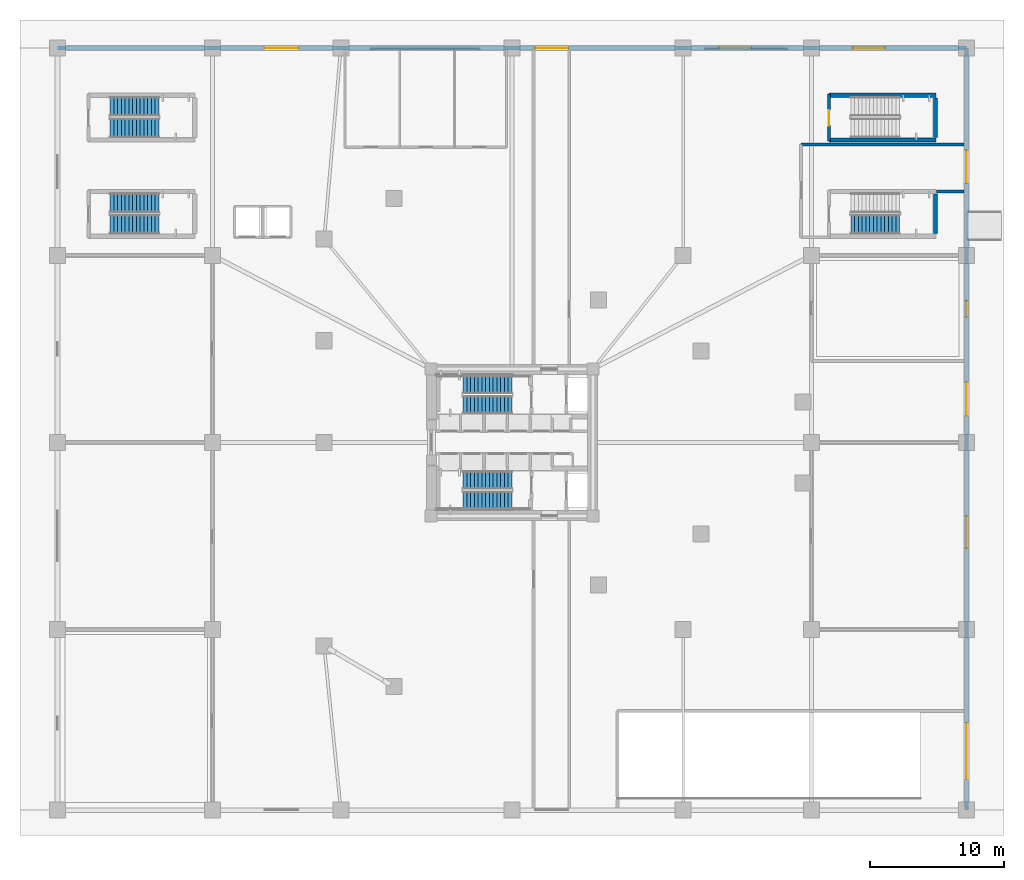
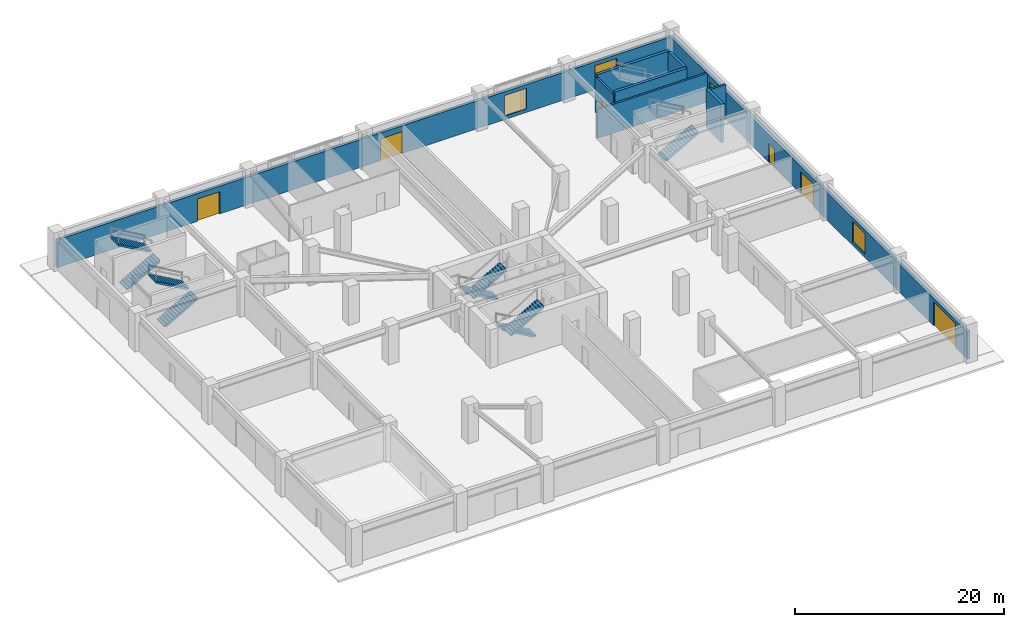
# One storey, part 7 of 18: 9 stair flights, 9 walls, 7 doors, 3 windows, 10 openings, 5 elements without a shape of their own.
"""IFC4 building model written with IfcOpenShell, lengths in metres."""

from ifc_helpers import new_model, si_unit, direction, frame, frame_2d, origin, place, context, subcontext, project, spatial, polyline, rectangle, outline, extrude, material, layer, layer_set, type_object, element, fill, aggregate, save


model = new_model("IFC4")

# Units and contexts
model_context = context("Model", 3, precision=1e-05, world=origin(), true_north=direction((0.0, 1.0)))
body_context = subcontext(model_context, "Body", "Model", "MODEL_VIEW")
ifc_project = project(units=[si_unit("LENGTHUNIT", "METRE"), si_unit("AREAUNIT", "SQUARE_METRE"), si_unit("VOLUMEUNIT", "CUBIC_METRE"), si_unit("PLANEANGLEUNIT", "RADIAN"), si_unit("MASSUNIT", "GRAM", prefix="KILO")], contexts=[model_context])

# Site, building, storey
site_placement = place(None, origin())
site = spatial("IfcSite", under=ifc_project, at=site_placement, CompositionType="ELEMENT")
building_placement = place(site_placement, origin())
building = spatial("IfcBuilding", under=site, at=building_placement, Name="Yunling Apex Tower", CompositionType="ELEMENT")
storey_placement = place(building_placement, origin())
storey = spatial("IfcBuildingStorey", under=building, at=storey_placement, Name="L01", CompositionType="ELEMENT", Elevation=0.0)

# Walls
ifc_material_1 = material(Name="Concrete C40", Category="concrete")
ifc_layer_1 = layer(ifc_material_1, 0.320068359375)
ifc_layer_set_1 = layer_set([ifc_layer_1], Name="Concrete C40")
wall_type_1 = type_object("IfcWallType", Name="WL-COR-7", PredefinedType="SHEAR", material=ifc_layer_set_1)
wall_1_placement = place(storey_placement, frame((31.679931640625, 15.6201171875, 0.0), z_axis=(0.0, 0.0, 1.0), x_axis=(0.0, 1.0, 0.0)))
element("IfcWall", 1, at=wall_1_placement, inside=storey, type_object=wall_type_1, Name="L01 STP2 Half-Landing Bearing Wall", PredefinedType="SHEAR", context=body_context, shape_type="SweptSolid", body=[
    extrude(rectangle(XDim=2.9599609375, YDim=0.320068359375, at=frame_2d((1.47998046875, 0.0))), origin(), (0.0, 0.0, 1.0), 4.5),
])
for number, where, z_axis, x_axis, name in (
    (2, (23.699951171875, 25.97998046875, 0.0), (0.0, 0.0, 1.0), (1.0, 0.0, 0.0), "L01 STG2 North Bearing Wall"),
    (3, (23.699951171875, 22.6201171875, 0.0), (0.0, 0.0, 1.0), (1.0, 0.0, 0.0), "L01 STG2 South Bearing Wall"),
):
    element("IfcWall", number, at=place(storey_placement, frame(where, z_axis=z_axis, x_axis=x_axis)), inside=storey, type_object=wall_type_1, Name=name, PredefinedType="SHEAR", context=body_context, shape_type="SweptSolid", body=[
        extrude(rectangle(XDim=8.0, YDim=0.320068359375, at=frame_2d((4.0, 0.0))), origin(), (0.0, 0.0, 1.0), 4.5),
    ])
wall_2_placement = place(storey_placement, frame((31.679931640625, 22.820068359375, 0.0), z_axis=(0.0, 0.0, 1.0), x_axis=(0.0, 1.0, 0.0)))
element("IfcWall", 4, at=wall_2_placement, inside=storey, type_object=wall_type_1, Name="L01 STG2 Half-Landing Bearing Wall", PredefinedType="SHEAR", context=body_context, shape_type="SweptSolid", body=[
    extrude(rectangle(XDim=2.9599609375, YDim=0.320068359375, at=frame_2d((1.47998046875, 0.0))), origin(), (0.0, 0.0, 1.0), 4.5),
])

# Wall, openings, doors, windows
ifc_material_2 = material(Name="Precast concrete C40", Category="concrete")
ifc_layer_2 = layer(ifc_material_2, 0.320068359375)
ifc_layer_set_2 = layer_set([ifc_layer_2], Name="Precast concrete C40")
wall_type_2 = type_object("IfcWallType", Name="WL-EXT-1", PredefinedType="SOLIDWALL", material=ifc_layer_set_2)
wall_3_placement = place(storey_placement, frame((-34.0, 29.5, 0.0), z_axis=(0.0, 0.0, 1.0), x_axis=(1.0, 0.0, 0.0)))
wall_3 = element("IfcWall", 5, at=wall_3_placement, inside=storey, type_object=wall_type_2, Name="WL-POD-L01-N", PredefinedType="SOLIDWALL", context=body_context, shape_type="SweptSolid", body=[
    extrude(rectangle(XDim=68.0, YDim=0.320068359375, at=frame_2d((34.0, 0.0))), origin(), (0.0, 0.0, 1.0), 3.25),
])
opening_1_placement = place(wall_3_placement, frame((35.75, 0.0, 0.0)))
opening_1 = element("IfcOpeningElement", 6, at=opening_1_placement, cuts=wall_3, Name="Opening DR-EX-2", PredefinedType="OPENING", context=body_context, shape_type="SweptSolid", body=[
    extrude(rectangle(XDim=2.449951171875, YDim=2.550048828125, at=frame_2d((1.22509765625, 1.27490234375))), frame((0.0, 0.169921875, 0.0), z_axis=(0.0, -1.0, 0.0), x_axis=(1.0, 0.0, 0.0)), (0.0, 0.0, 1.0), 0.340087890625),
])
opening_2_placement = place(wall_3_placement, frame((15.5, 0.0, 0.0)))
opening_2 = element("IfcOpeningElement", 7, at=opening_2_placement, cuts=wall_3, Name="Opening DR-EX-1", PredefinedType="OPENING", context=body_context, shape_type="SweptSolid", body=[
    extrude(rectangle(XDim=2.5, YDim=2.60009765625, at=frame_2d((1.25, 1.300048828125))), frame((0.0, 0.169921875, 0.0), z_axis=(0.0, -1.0, 0.0), x_axis=(1.0, 0.0, 0.0)), (0.0, 0.0, 1.0), 0.340087890625),
])
opening_3_placement = place(wall_3_placement, frame((49.5, 0.0, 0.39990234375)))
opening_3 = element("IfcOpeningElement", 8, at=opening_3_placement, cuts=wall_3, Name="Opening WN-POD-1", PredefinedType="OPENING", context=body_context, shape_type="SweptSolid", body=[
    extrude(rectangle(XDim=2.39990234375, YDim=2.39990234375, at=frame_2d((1.199951171875, 1.199951171875))), frame((0.0, 0.169921875, 0.0), z_axis=(0.0, -1.0, 0.0), x_axis=(1.0, 0.0, 0.0)), (0.0, 0.0, 1.0), 0.340087890625),
])
opening_4_placement = place(wall_3_placement, frame((59.5, 0.0, 0.39990234375)))
opening_4 = element("IfcOpeningElement", 9, at=opening_4_placement, cuts=wall_3, Name="Opening WN-POD-1", PredefinedType="OPENING", context=body_context, shape_type="SweptSolid", body=[
    extrude(rectangle(XDim=2.39990234375, YDim=2.39990234375, at=frame_2d((1.199951171875, 1.199951171875))), frame((0.0, 0.169921875, 0.0), z_axis=(0.0, -1.0, 0.0), x_axis=(1.0, 0.0, 0.0)), (0.0, 0.0, 1.0), 0.340087890625),
])
ifc_material_3 = material(Name="Bronze anodised aluminium", Category="aluminium")
door_type_1 = type_object("IfcDoorType", Name="DR-EX-1", OperationType="NOTDEFINED", PredefinedType="DOOR", material=ifc_material_3)
door_1_placement = place(opening_2_placement, origin())
door_1 = element("IfcDoor", 10, at=door_1_placement, inside=storey, type_object=door_type_1, Name="EX-03 North Concourse Main Entrance Door", OperationType="DOUBLE_DOOR_SINGLE_SWING", OverallHeight=2.60009765625, OverallWidth=2.5, PredefinedType="DOOR", context=body_context, shape_type="SweptSolid", body=[
    extrude(rectangle(XDim=2.5, YDim=2.60009765625, at=frame_2d((1.25, 1.300048828125))), frame((0.0, 0.02490234375, 0.0), z_axis=(0.0, -1.0, 0.0), x_axis=(1.0, 0.0, 0.0)), (0.0, 0.0, 1.0), 0.050048828125),
])
fill(opening_2, door_1)
ifc_material_4 = material(Name="Steel Q355B", Category="steel")
door_type_2 = type_object("IfcDoorType", Name="DR-EX-2", OperationType="NOTDEFINED", PredefinedType="DOOR", material=ifc_material_4)
door_2_placement = place(opening_1_placement, origin())
door_2 = element("IfcDoor", 11, at=door_2_placement, inside=storey, type_object=door_type_2, Name="EX-01 North Protected Stair Exit Door", OperationType="DOUBLE_DOOR_SINGLE_SWING", OverallHeight=2.550048828125, OverallWidth=2.449951171875, PredefinedType="DOOR", context=body_context, shape_type="SweptSolid", body=[
    extrude(rectangle(XDim=2.449951171875, YDim=2.550048828125, at=frame_2d((1.22509765625, 1.27490234375))), frame((0.0, 0.02490234375, 0.0), z_axis=(0.0, -1.0, 0.0), x_axis=(1.0, 0.0, 0.0)), (0.0, 0.0, 1.0), 0.050048828125),
])
fill(opening_1, door_2)
ifc_material_5 = material(Name="Bronze tinted low-E glass", Category="glass")
window_type = type_object("IfcWindowType", Name="WN-POD-1", PartitioningType="SINGLE_PANEL", PredefinedType="WINDOW", material=ifc_material_5)
window_1_placement = place(opening_3_placement, origin())
window_1 = element("IfcWindow", 12, at=window_1_placement, inside=storey, type_object=window_type, Name="WN-L01-N-1", OverallHeight=2.39990234375, OverallWidth=2.39990234375, PartitioningType="SINGLE_PANEL", PredefinedType="WINDOW", context=body_context, shape_type="SweptSolid", body=[
    extrude(rectangle(XDim=2.39990234375, YDim=2.39990234375, at=frame_2d((1.199951171875, 1.199951171875))), frame((0.0, 0.030029296875, 0.0), z_axis=(0.0, -1.0, 0.0), x_axis=(1.0, 0.0, 0.0)), (0.0, 0.0, 1.0), 0.06005859375),
])
fill(opening_3, window_1)
window_2_placement = place(opening_4_placement, origin())
window_2 = element("IfcWindow", 13, at=window_2_placement, inside=storey, type_object=window_type, Name="WN-L01-N-2", OverallHeight=2.39990234375, OverallWidth=2.39990234375, PartitioningType="SINGLE_PANEL", PredefinedType="WINDOW", context=body_context, shape_type="SweptSolid", body=[
    extrude(rectangle(XDim=2.39990234375, YDim=2.39990234375, at=frame_2d((1.199951171875, 1.199951171875))), frame((0.0, 0.030029296875, 0.0), z_axis=(0.0, -1.0, 0.0), x_axis=(1.0, 0.0, 0.0)), (0.0, 0.0, 1.0), 0.06005859375),
])
fill(opening_4, window_2)

# Wall, openings, doors, window
wall_4_placement = place(storey_placement, frame((34.0, 29.5, 0.0), z_axis=(0.0, 0.0, 1.0), x_axis=(0.0, -1.0, 0.0)))
wall_4 = element("IfcWall", 14, at=wall_4_placement, inside=storey, type_object=wall_type_2, Name="WL-POD-L01-E", PredefinedType="SOLIDWALL", context=body_context, shape_type="SweptSolid", body=[
    extrude(rectangle(XDim=57.0, YDim=0.320068359375, at=frame_2d((28.5, 0.0))), origin(), (0.0, 0.0, 1.0), 3.25),
])
opening_5_placement = place(wall_4_placement, frame((7.64990234375, 0.0, 0.0)))
opening_5 = element("IfcOpeningElement", 15, at=opening_5_placement, cuts=wall_4, Name="Opening DR-EX-2", PredefinedType="OPENING", context=body_context, shape_type="SweptSolid", body=[
    extrude(rectangle(XDim=2.449951171875, YDim=2.550048828125, at=frame_2d((1.22509765625, 1.27490234375))), frame((0.0, 0.169921875, 0.0), z_axis=(0.0, -1.0, 0.0), x_axis=(1.0, 0.0, 0.0)), (0.0, 0.0, 1.0), 0.340087890625),
])
opening_6_placement = place(wall_4_placement, frame((25.0, 0.0, 0.0)))
opening_6 = element("IfcOpeningElement", 16, at=opening_6_placement, cuts=wall_4, Name="Opening DR-EX-1", PredefinedType="OPENING", context=body_context, shape_type="SweptSolid", body=[
    extrude(rectangle(XDim=2.5, YDim=2.60009765625, at=frame_2d((1.25, 1.300048828125))), frame((0.0, 0.169921875, 0.0), z_axis=(0.0, -1.0, 0.0), x_axis=(1.0, 0.0, 0.0)), (0.0, 0.0, 1.0), 0.340087890625),
])
opening_7_placement = place(wall_4_placement, frame((18.89990234375, 0.0, 0.0)))
opening_7 = element("IfcOpeningElement", 17, at=opening_7_placement, cuts=wall_4, Name="Opening DR-FFL-1", PredefinedType="OPENING", context=body_context, shape_type="SweptSolid", body=[
    extrude(rectangle(XDim=1.199951171875, YDim=2.199951171875, at=frame_2d((0.60009765625, 1.10009765625))), frame((0.0, 0.169921875, 0.0), z_axis=(0.0, -1.0, 0.0), x_axis=(1.0, 0.0, 0.0)), (0.0, 0.0, 1.0), 0.340087890625),
])
opening_8_placement = place(wall_4_placement, frame((50.5, 0.0, 0.0)))
opening_8 = element("IfcOpeningElement", 18, at=opening_8_placement, cuts=wall_4, Name="Opening VG-01", PredefinedType="OPENING", context=body_context, shape_type="SweptSolid", body=[
    extrude(rectangle(XDim=4.199951171875, YDim=2.800048828125, at=frame_2d((2.10009765625, 1.39990234375))), frame((0.0, 0.169921875, 0.0), z_axis=(0.0, -1.0, 0.0), x_axis=(1.0, 0.0, 0.0)), (0.0, 0.0, 1.0), 0.340087890625),
])
opening_9_placement = place(wall_4_placement, frame((35.0, 0.0, 0.39990234375)))
opening_9 = element("IfcOpeningElement", 19, at=opening_9_placement, cuts=wall_4, Name="Opening WN-POD-1", PredefinedType="OPENING", context=body_context, shape_type="SweptSolid", body=[
    extrude(rectangle(XDim=2.39990234375, YDim=2.39990234375, at=frame_2d((1.199951171875, 1.199951171875))), frame((0.0, 0.169921875, 0.0), z_axis=(0.0, -1.0, 0.0), x_axis=(1.0, 0.0, 0.0)), (0.0, 0.0, 1.0), 0.340087890625),
])
door_3_placement = place(opening_6_placement, origin())
door_3 = element("IfcDoor", 20, at=door_3_placement, inside=storey, type_object=door_type_1, Name="EX-06 East Plaza Accessible Entrance Door", OperationType="DOUBLE_DOOR_SINGLE_SWING", OverallHeight=2.60009765625, OverallWidth=2.5, PredefinedType="DOOR", context=body_context, shape_type="SweptSolid", body=[
    extrude(rectangle(XDim=2.5, YDim=2.60009765625, at=frame_2d((1.25, 1.300048828125))), frame((0.0, 0.02490234375, 0.0), z_axis=(0.0, -1.0, 0.0), x_axis=(1.0, 0.0, 0.0)), (0.0, 0.0, 1.0), 0.050048828125),
])
fill(opening_6, door_3)
door_4_placement = place(opening_5_placement, origin())
door_4 = element("IfcDoor", 21, at=door_4_placement, inside=storey, type_object=door_type_2, Name="EX-07 East Protected Stair Exit Door", OperationType="DOUBLE_DOOR_SINGLE_SWING", OverallHeight=2.550048828125, OverallWidth=2.449951171875, PredefinedType="DOOR", context=body_context, shape_type="SweptSolid", body=[
    extrude(rectangle(XDim=2.449951171875, YDim=2.550048828125, at=frame_2d((1.22509765625, 1.27490234375))), frame((0.0, 0.02490234375, 0.0), z_axis=(0.0, -1.0, 0.0), x_axis=(1.0, 0.0, 0.0)), (0.0, 0.0, 1.0), 0.050048828125),
])
fill(opening_5, door_4)
door_type_3 = type_object("IfcDoorType", Name="DR-FFL-1", OperationType="NOTDEFINED", PredefinedType="DOOR", material=ifc_material_4)
door_5_placement = place(opening_7_placement, origin())
door_5 = element("IfcDoor", 22, at=door_5_placement, inside=storey, type_object=door_type_3, Name="EX-FCC Fire Command Exterior Door", OperationType="SINGLE_SWING_LEFT", OverallHeight=2.199951171875, OverallWidth=1.199951171875, PredefinedType="DOOR", context=body_context, shape_type="SweptSolid", body=[
    extrude(rectangle(XDim=1.199951171875, YDim=2.199951171875, at=frame_2d((0.60009765625, 1.10009765625))), frame((0.0, 0.02490234375, 0.0), z_axis=(0.0, -1.0, 0.0), x_axis=(1.0, 0.0, 0.0)), (0.0, 0.0, 1.0), 0.050048828125),
])
fill(opening_7, door_5)
door_type_4 = type_object("IfcDoorType", Name="VG-01", OperationType="ROLLINGUP", PredefinedType="GATE", material=ifc_material_3)
door_6_placement = place(opening_8_placement, origin())
door_6 = element("IfcDoor", 23, at=door_6_placement, inside=storey, type_object=door_type_4, Name="VG-01 Vehicle Ramp Shutter Gate", OperationType="ROLLINGUP", OverallHeight=2.800048828125, OverallWidth=4.199951171875, PredefinedType="GATE", context=body_context, shape_type="SweptSolid", body=[
    extrude(rectangle(XDim=4.199951171875, YDim=2.800048828125, at=frame_2d((2.10009765625, 1.39990234375))), frame((0.0, 0.02490234375, 0.0), z_axis=(0.0, -1.0, 0.0), x_axis=(1.0, 0.0, 0.0)), (0.0, 0.0, 1.0), 0.050048828125),
])
fill(opening_8, door_6)
window_3_placement = place(opening_9_placement, origin())
window_3 = element("IfcWindow", 24, at=window_3_placement, inside=storey, type_object=window_type, Name="WN-L01-E-CAF", OverallHeight=2.39990234375, OverallWidth=2.39990234375, PartitioningType="SINGLE_PANEL", PredefinedType="WINDOW", context=body_context, shape_type="SweptSolid", body=[
    extrude(rectangle(XDim=2.39990234375, YDim=2.39990234375, at=frame_2d((1.199951171875, 1.199951171875))), frame((0.0, 0.030029296875, 0.0), z_axis=(0.0, -1.0, 0.0), x_axis=(1.0, 0.0, 0.0)), (0.0, 0.0, 1.0), 0.06005859375),
])
fill(opening_9, window_3)

# Wall, opening, door
ifc_material_6 = material(Name="Autoclaved aerated concrete masonry", Category="masonry")
ifc_layer_3 = layer(ifc_material_6, 0.219970703125)
ifc_layer_set_3 = layer_set([ifc_layer_3], Name="Autoclaved aerated concrete masonry")
wall_type_3 = type_object("IfcWallType", Name="WL-SHF-1", PredefinedType="PLUMBINGWALL", material=ifc_layer_set_3)
wall_5_placement = place(storey_placement, frame((23.719970703125, 22.550048828125, 0.0), z_axis=(0.0, 0.0, 1.0), x_axis=(0.0, 1.0, 0.0)))
wall_5 = element("IfcWall", 25, at=wall_5_placement, inside=storey, type_object=wall_type_3, Name="WL-STG2-W-L01", PredefinedType="PLUMBINGWALL", context=body_context, shape_type="SweptSolid", body=[
    extrude(rectangle(XDim=3.5, YDim=0.219970703125, at=frame_2d((1.75, 0.0))), origin(), (0.0, 0.0, 1.0), 4.169921875),
])
opening_10_placement = place(wall_5_placement, frame((1.14990234375, 0.0, 0.0)))
opening_10 = element("IfcOpeningElement", 26, at=opening_10_placement, cuts=wall_5, Name="Opening DR-ST-1", PredefinedType="OPENING", context=body_context, shape_type="SweptSolid", body=[
    extrude(rectangle(XDim=1.14990234375, YDim=2.14990234375, at=frame_2d((0.574951171875, 1.074951171875))), frame((0.0, 0.1201171875, 0.0), z_axis=(0.0, -1.0, 0.0), x_axis=(1.0, 0.0, 0.0)), (0.0, 0.0, 1.0), 0.239990234375),
])
door_type_5 = type_object("IfcDoorType", Name="DR-ST-1", OperationType="NOTDEFINED", PredefinedType="DOOR", material=ifc_material_4)
door_7_placement = place(opening_10_placement, origin())
door_7 = element("IfcDoor", 27, at=door_7_placement, inside=storey, type_object=door_type_5, Name="L01 Garden Stair ST-G2 Door", OperationType="SINGLE_SWING_RIGHT", OverallHeight=2.14990234375, OverallWidth=1.14990234375, PredefinedType="DOOR", context=body_context, shape_type="SweptSolid", body=[
    extrude(rectangle(XDim=1.14990234375, YDim=2.14990234375, at=frame_2d((0.574951171875, 1.074951171875))), frame((0.0, 0.02490234375, 0.0), z_axis=(0.0, -1.0, 0.0), x_axis=(1.0, 0.0, 0.0)), (0.0, 0.0, 1.0), 0.050048828125),
])
fill(opening_10, door_7)

# Walls
wall_6_placement = place(storey_placement, frame((31.760009765625, 18.780029296875, 0.0), z_axis=(0.0, 0.0, 1.0), x_axis=(1.0, 0.0, 0.0)))
element("IfcWall", 28, at=wall_6_placement, inside=storey, type_object=wall_type_3, Name="WL-EXPE-S2", PredefinedType="PLUMBINGWALL", context=body_context, shape_type="SweptSolid", body=[
    extrude(rectangle(XDim=2.0400390625, YDim=0.219970703125, at=frame_2d((1.02001953125, 0.0))), origin(), (0.0, 0.0, 1.0), 4.169921875),
])
wall_7_placement = place(storey_placement, frame((21.6201171875, 22.280029296875, 0.0), z_axis=(0.0, 0.0, 1.0), x_axis=(1.0, 0.0, 0.0)))
element("IfcWall", 29, at=wall_7_placement, inside=storey, type_object=wall_type_3, Name="WL-EXPE-N", PredefinedType="PLUMBINGWALL", context=body_context, shape_type="SweptSolid", body=[
    extrude(rectangle(XDim=12.179931640625, YDim=0.219970703125, at=frame_2d((6.08984375, 0.0))), origin(), (0.0, 0.0, 1.0), 3.375),
])

# Stair, stair flights
stair_type_1 = type_object("IfcStairType", Name="ST-GDN-1", PredefinedType="STRAIGHT_RUN_STAIR", material=ifc_material_1)
stair_1_placement = place(storey_placement, origin())
stair_1 = element("IfcStair", 30, at=stair_1_placement, inside=storey, type_object=stair_type_1, Name="L01 West Plaza-to-Garden External Stair ST-G1", PredefinedType="HALF_TURN_STAIR")
stair_flight_type_1 = type_object("IfcStairFlightType", Name="SFL-GDN-1", PredefinedType="STRAIGHT", material=ifc_material_1)
stair_flight_1_placement = place(storey_placement, frame((-30.050048828125, 23.52490234375, 0.0), z_axis=(0.0, 0.0, 1.0), x_axis=(1.0, 0.0, 0.0)))
stair_flight_1 = element("IfcStairFlight", 31, at=stair_flight_1_placement, type_object=stair_flight_type_1, Name="ST-G1 flight 1", NumberOfRisers=14, NumberOfTreads=13, PredefinedType="STRAIGHT", RiserHeight=0.160714286, TreadLength=0.28, context=body_context, shape_type="SweptSolid", body=[
    extrude(outline(polyline([(-0.011962890625, 0.0), (-0.011962890625, 0.16064453125), (0.0, 0.16064453125), (0.280029296875, 0.16064453125), (0.280029296875, 0.321533203125), (0.56005859375, 0.321533203125), (0.56005859375, 0.482177734375), (0.840087890625, 0.482177734375), (0.840087890625, 0.642822265625), (1.1201171875, 0.642822265625), (1.1201171875, 0.803466796875), (1.39990234375, 0.803466796875), (1.39990234375, 0.96435546875), (1.679931640625, 0.96435546875), (1.679931640625, 1.125), (1.9599609375, 1.125), (1.9599609375, 1.28564453125), (2.239990234375, 1.28564453125), (2.239990234375, 1.446533203125), (2.52001953125, 1.446533203125), (2.52001953125, 1.607177734375), (2.800048828125, 1.607177734375), (2.800048828125, 1.767822265625), (3.080078125, 1.767822265625), (3.080078125, 1.928466796875), (3.360107421875, 1.928466796875), (3.360107421875, 2.08935546875), (3.639892578125, 2.08935546875), (3.639892578125, 2.25), (3.652099609375, 2.25), (3.652099609375, 1.90478515625), (0.3212890625, 0.0), (-0.011962890625, 0.0)])), frame((0.0, 0.72509765625, 0.0), z_axis=(0.0, -1.0, 0.0), x_axis=(1.0, 0.0, 0.0)), (0.0, 0.0, 1.0), 1.449951171875),
])
stair_flight_2_placement = place(storey_placement, frame((-26.409912109375, 25.125, 2.25), z_axis=(0.0, 0.0, 1.0), x_axis=(-1.0, 0.0, 0.0)))
stair_flight_2 = element("IfcStairFlight", 32, at=stair_flight_2_placement, type_object=stair_flight_type_1, Name="ST-G1 flight 2", NumberOfRisers=14, NumberOfTreads=13, PredefinedType="STRAIGHT", RiserHeight=0.160714286, TreadLength=0.28, context=body_context, shape_type="SweptSolid", body=[
    extrude(outline(polyline([(-0.011962890625, 0.0), (-0.011962890625, 0.16064453125), (0.0, 0.16064453125), (0.280029296875, 0.16064453125), (0.280029296875, 0.321533203125), (0.56005859375, 0.321533203125), (0.56005859375, 0.482177734375), (0.840087890625, 0.482177734375), (0.840087890625, 0.642822265625), (1.1201171875, 0.642822265625), (1.1201171875, 0.803466796875), (1.39990234375, 0.803466796875), (1.39990234375, 0.96435546875), (1.679931640625, 0.96435546875), (1.679931640625, 1.125), (1.9599609375, 1.125), (1.9599609375, 1.28564453125), (2.239990234375, 1.28564453125), (2.239990234375, 1.446533203125), (2.52001953125, 1.446533203125), (2.52001953125, 1.607177734375), (2.800048828125, 1.607177734375), (2.800048828125, 1.767822265625), (3.080078125, 1.767822265625), (3.080078125, 1.928466796875), (3.360107421875, 1.928466796875), (3.360107421875, 2.08935546875), (3.639892578125, 2.08935546875), (3.639892578125, 2.25), (3.652099609375, 2.25), (3.652099609375, 1.90478515625), (0.3212890625, 0.0), (-0.011962890625, 0.0)])), frame((0.0, 0.72509765625, 0.0), z_axis=(0.0, -1.0, 0.0), x_axis=(1.0, 0.0, 0.0)), (0.0, 0.0, 1.0), 1.449951171875),
])
aggregate(stair_1, [stair_flight_1, stair_flight_2])

stair_type_2 = type_object("IfcStairType", Name="ST-POD-1", PredefinedType="HALF_TURN_STAIR", material=ifc_material_1)
stair_2_placement = place(storey_placement, origin())
stair_2 = element("IfcStair", 33, at=stair_2_placement, inside=storey, type_object=stair_type_2, Name="L01 West Podium Smokeproof Stair ST-P1", PredefinedType="HALF_TURN_STAIR")
stair_flight_type_2 = type_object("IfcStairFlightType", Name="SFL-POD-1", PredefinedType="STRAIGHT", material=ifc_material_1)
stair_flight_3_placement = place(storey_placement, frame((-30.050048828125, 16.324951171875, 0.0), z_axis=(0.0, 0.0, 1.0), x_axis=(1.0, 0.0, 0.0)))
stair_flight_3 = element("IfcStairFlight", 34, at=stair_flight_3_placement, type_object=stair_flight_type_2, Name="ST-P1 flight 1", NumberOfRisers=14, NumberOfTreads=13, PredefinedType="STRAIGHT", RiserHeight=0.160714286, TreadLength=0.28, context=body_context, shape_type="SweptSolid", body=[
    extrude(outline(polyline([(-0.011962890625, 0.0), (-0.011962890625, 0.16064453125), (0.0, 0.16064453125), (0.280029296875, 0.16064453125), (0.280029296875, 0.321533203125), (0.56005859375, 0.321533203125), (0.56005859375, 0.482177734375), (0.840087890625, 0.482177734375), (0.840087890625, 0.642822265625), (1.1201171875, 0.642822265625), (1.1201171875, 0.803466796875), (1.39990234375, 0.803466796875), (1.39990234375, 0.96435546875), (1.679931640625, 0.96435546875), (1.679931640625, 1.125), (1.9599609375, 1.125), (1.9599609375, 1.28564453125), (2.239990234375, 1.28564453125), (2.239990234375, 1.446533203125), (2.52001953125, 1.446533203125), (2.52001953125, 1.607177734375), (2.800048828125, 1.607177734375), (2.800048828125, 1.767822265625), (3.080078125, 1.767822265625), (3.080078125, 1.928466796875), (3.360107421875, 1.928466796875), (3.360107421875, 2.08935546875), (3.639892578125, 2.08935546875), (3.639892578125, 2.25), (3.652099609375, 2.25), (3.652099609375, 1.90478515625), (0.3212890625, 0.0), (-0.011962890625, 0.0)])), frame((0.0, 0.72509765625, 0.0), z_axis=(0.0, -1.0, 0.0), x_axis=(1.0, 0.0, 0.0)), (0.0, 0.0, 1.0), 1.449951171875),
])
stair_flight_4_placement = place(storey_placement, frame((-26.409912109375, 17.925048828125, 2.25), z_axis=(0.0, 0.0, 1.0), x_axis=(-1.0, 0.0, 0.0)))
stair_flight_4 = element("IfcStairFlight", 35, at=stair_flight_4_placement, type_object=stair_flight_type_2, Name="ST-P1 flight 2", NumberOfRisers=14, NumberOfTreads=13, PredefinedType="STRAIGHT", RiserHeight=0.160714286, TreadLength=0.28, context=body_context, shape_type="SweptSolid", body=[
    extrude(outline(polyline([(-0.011962890625, 0.0), (-0.011962890625, 0.16064453125), (0.0, 0.16064453125), (0.280029296875, 0.16064453125), (0.280029296875, 0.321533203125), (0.56005859375, 0.321533203125), (0.56005859375, 0.482177734375), (0.840087890625, 0.482177734375), (0.840087890625, 0.642822265625), (1.1201171875, 0.642822265625), (1.1201171875, 0.803466796875), (1.39990234375, 0.803466796875), (1.39990234375, 0.96435546875), (1.679931640625, 0.96435546875), (1.679931640625, 1.125), (1.9599609375, 1.125), (1.9599609375, 1.28564453125), (2.239990234375, 1.28564453125), (2.239990234375, 1.446533203125), (2.52001953125, 1.446533203125), (2.52001953125, 1.607177734375), (2.800048828125, 1.607177734375), (2.800048828125, 1.767822265625), (3.080078125, 1.767822265625), (3.080078125, 1.928466796875), (3.360107421875, 1.928466796875), (3.360107421875, 2.08935546875), (3.639892578125, 2.08935546875), (3.639892578125, 2.25), (3.652099609375, 2.25), (3.652099609375, 1.90478515625), (0.3212890625, 0.0), (-0.011962890625, 0.0)])), frame((0.0, 0.72509765625, 0.0), z_axis=(0.0, -1.0, 0.0), x_axis=(1.0, 0.0, 0.0)), (0.0, 0.0, 1.0), 1.449951171875),
])
aggregate(stair_2, [stair_flight_3, stair_flight_4])

# Stair, stair flight
stair_3_placement = place(storey_placement, origin())
stair_3 = element("IfcStair", 36, at=stair_3_placement, inside=storey, type_object=stair_type_2, Name="L01 East Podium Smokeproof Stair ST-P2", PredefinedType="HALF_TURN_STAIR")
stair_flight_5_placement = place(storey_placement, frame((25.35009765625, 16.324951171875, 0.0), z_axis=(0.0, 0.0, 1.0), x_axis=(1.0, 0.0, 0.0)))
stair_flight_5 = element("IfcStairFlight", 37, at=stair_flight_5_placement, type_object=stair_flight_type_2, Name="ST-P2 flight 1", NumberOfRisers=14, NumberOfTreads=13, PredefinedType="STRAIGHT", RiserHeight=0.160714286, TreadLength=0.28, context=body_context, shape_type="SweptSolid", body=[
    extrude(outline(polyline([(-0.011962890625, 0.0), (-0.011962890625, 0.16064453125), (0.0, 0.16064453125), (0.280029296875, 0.16064453125), (0.280029296875, 0.321533203125), (0.56005859375, 0.321533203125), (0.56005859375, 0.482177734375), (0.840087890625, 0.482177734375), (0.840087890625, 0.642822265625), (1.1201171875, 0.642822265625), (1.1201171875, 0.803466796875), (1.39990234375, 0.803466796875), (1.39990234375, 0.96435546875), (1.679931640625, 0.96435546875), (1.679931640625, 1.125), (1.9599609375, 1.125), (1.9599609375, 1.28564453125), (2.239990234375, 1.28564453125), (2.239990234375, 1.446533203125), (2.52001953125, 1.446533203125), (2.52001953125, 1.607177734375), (2.800048828125, 1.607177734375), (2.800048828125, 1.767822265625), (3.080078125, 1.767822265625), (3.080078125, 1.928466796875), (3.360107421875, 1.928466796875), (3.360107421875, 2.08935546875), (3.639892578125, 2.08935546875), (3.639892578125, 2.25), (3.652099609375, 2.25), (3.652099609375, 1.90478515625), (0.3212890625, 0.0), (-0.011962890625, 0.0)])), frame((0.0, 0.72509765625, 0.0), z_axis=(0.0, -1.0, 0.0), x_axis=(1.0, 0.0, 0.0)), (0.0, 0.0, 1.0), 1.449951171875),
])
aggregate(stair_3, [stair_flight_5])

# Stair, stair flights
stair_type_3 = type_object("IfcStairType", Name="ST-TWR-1", PredefinedType="HALF_TURN_STAIR", material=ifc_material_1)
stair_4_placement = place(storey_placement, origin())
stair_4 = element("IfcStair", 38, at=stair_4_placement, inside=storey, type_object=stair_type_3, Name="L01 North Core Smokeproof Exit Stair ST-1", PredefinedType="HALF_TURN_STAIR")
stair_flight_type_3 = type_object("IfcStairFlightType", Name="SFL-TWR-1", PredefinedType="STRAIGHT", material=ifc_material_1)
stair_flight_6_placement = place(storey_placement, frame((-0.010009765625, 4.330078125, 0.0), z_axis=(0.0, 0.0, 1.0), x_axis=(-1.0, 0.0, 0.0)))
stair_flight_6 = element("IfcStairFlight", 39, at=stair_flight_6_placement, type_object=stair_flight_type_3, Name="ST-1 flight 1", NumberOfRisers=14, NumberOfTreads=13, PredefinedType="STRAIGHT", RiserHeight=0.160714286, TreadLength=0.28, context=body_context, shape_type="SweptSolid", body=[
    extrude(outline(polyline([(-0.011962890625, 0.0), (-0.011962890625, 0.16064453125), (0.0, 0.16064453125), (0.280029296875, 0.16064453125), (0.280029296875, 0.321533203125), (0.56005859375, 0.321533203125), (0.56005859375, 0.482177734375), (0.840087890625, 0.482177734375), (0.840087890625, 0.642822265625), (1.1201171875, 0.642822265625), (1.1201171875, 0.803466796875), (1.39990234375, 0.803466796875), (1.39990234375, 0.96435546875), (1.679931640625, 0.96435546875), (1.679931640625, 1.125), (1.9599609375, 1.125), (1.9599609375, 1.28564453125), (2.239990234375, 1.28564453125), (2.239990234375, 1.446533203125), (2.52001953125, 1.446533203125), (2.52001953125, 1.607177734375), (2.800048828125, 1.607177734375), (2.800048828125, 1.767822265625), (3.080078125, 1.767822265625), (3.080078125, 1.928466796875), (3.360107421875, 1.928466796875), (3.360107421875, 2.08935546875), (3.639892578125, 2.08935546875), (3.639892578125, 2.25), (3.652099609375, 2.25), (3.652099609375, 1.90478515625), (0.3212890625, 0.0), (-0.011962890625, 0.0)])), frame((0.0, 0.68017578125, 0.0), z_axis=(0.0, -1.0, 0.0), x_axis=(1.0, 0.0, 0.0)), (0.0, 0.0, 1.0), 1.360107421875),
])
stair_flight_7_placement = place(storey_placement, frame((-3.64990234375, 2.820068359375, 2.25), z_axis=(0.0, 0.0, 1.0), x_axis=(1.0, 0.0, 0.0)))
stair_flight_7 = element("IfcStairFlight", 40, at=stair_flight_7_placement, type_object=stair_flight_type_3, Name="ST-1 flight 2", NumberOfRisers=14, NumberOfTreads=13, PredefinedType="STRAIGHT", RiserHeight=0.160714286, TreadLength=0.28, context=body_context, shape_type="SweptSolid", body=[
    extrude(outline(polyline([(-0.011962890625, 0.0), (-0.011962890625, 0.16064453125), (0.0, 0.16064453125), (0.280029296875, 0.16064453125), (0.280029296875, 0.321533203125), (0.56005859375, 0.321533203125), (0.56005859375, 0.482177734375), (0.840087890625, 0.482177734375), (0.840087890625, 0.642822265625), (1.1201171875, 0.642822265625), (1.1201171875, 0.803466796875), (1.39990234375, 0.803466796875), (1.39990234375, 0.96435546875), (1.679931640625, 0.96435546875), (1.679931640625, 1.125), (1.9599609375, 1.125), (1.9599609375, 1.28564453125), (2.239990234375, 1.28564453125), (2.239990234375, 1.446533203125), (2.52001953125, 1.446533203125), (2.52001953125, 1.607177734375), (2.800048828125, 1.607177734375), (2.800048828125, 1.767822265625), (3.080078125, 1.767822265625), (3.080078125, 1.928466796875), (3.360107421875, 1.928466796875), (3.360107421875, 2.08935546875), (3.639892578125, 2.08935546875), (3.639892578125, 2.25), (3.652099609375, 2.25), (3.652099609375, 1.90478515625), (0.3212890625, 0.0), (-0.011962890625, 0.0)])), frame((0.0, 0.68017578125, 0.0), z_axis=(0.0, -1.0, 0.0), x_axis=(1.0, 0.0, 0.0)), (0.0, 0.0, 1.0), 1.360107421875),
])
aggregate(stair_4, [stair_flight_6, stair_flight_7])

stair_5_placement = place(storey_placement, origin())
stair_5 = element("IfcStair", 41, at=stair_5_placement, inside=storey, type_object=stair_type_3, Name="L01 South Core Smokeproof Exit Stair ST-2", PredefinedType="HALF_TURN_STAIR")
stair_flight_8_placement = place(storey_placement, frame((-0.010009765625, -2.820068359375, 0.0), z_axis=(0.0, 0.0, 1.0), x_axis=(-1.0, 0.0, 0.0)))
stair_flight_8 = element("IfcStairFlight", 42, at=stair_flight_8_placement, type_object=stair_flight_type_3, Name="ST-2 flight 1", NumberOfRisers=14, NumberOfTreads=13, PredefinedType="STRAIGHT", RiserHeight=0.160714286, TreadLength=0.28, context=body_context, shape_type="SweptSolid", body=[
    extrude(outline(polyline([(-0.011962890625, 0.0), (-0.011962890625, 0.16064453125), (0.0, 0.16064453125), (0.280029296875, 0.16064453125), (0.280029296875, 0.321533203125), (0.56005859375, 0.321533203125), (0.56005859375, 0.482177734375), (0.840087890625, 0.482177734375), (0.840087890625, 0.642822265625), (1.1201171875, 0.642822265625), (1.1201171875, 0.803466796875), (1.39990234375, 0.803466796875), (1.39990234375, 0.96435546875), (1.679931640625, 0.96435546875), (1.679931640625, 1.125), (1.9599609375, 1.125), (1.9599609375, 1.28564453125), (2.239990234375, 1.28564453125), (2.239990234375, 1.446533203125), (2.52001953125, 1.446533203125), (2.52001953125, 1.607177734375), (2.800048828125, 1.607177734375), (2.800048828125, 1.767822265625), (3.080078125, 1.767822265625), (3.080078125, 1.928466796875), (3.360107421875, 1.928466796875), (3.360107421875, 2.08935546875), (3.639892578125, 2.08935546875), (3.639892578125, 2.25), (3.652099609375, 2.25), (3.652099609375, 1.90478515625), (0.3212890625, 0.0), (-0.011962890625, 0.0)])), frame((0.0, 0.68017578125, 0.0), z_axis=(0.0, -1.0, 0.0), x_axis=(1.0, 0.0, 0.0)), (0.0, 0.0, 1.0), 1.360107421875),
])
stair_flight_9_placement = place(storey_placement, frame((-3.64990234375, -4.330078125, 2.25), z_axis=(0.0, 0.0, 1.0), x_axis=(1.0, 0.0, 0.0)))
stair_flight_9 = element("IfcStairFlight", 43, at=stair_flight_9_placement, type_object=stair_flight_type_3, Name="ST-2 flight 2", NumberOfRisers=14, NumberOfTreads=13, PredefinedType="STRAIGHT", RiserHeight=0.160714286, TreadLength=0.28, context=body_context, shape_type="SweptSolid", body=[
    extrude(outline(polyline([(-0.011962890625, 0.0), (-0.011962890625, 0.16064453125), (0.0, 0.16064453125), (0.280029296875, 0.16064453125), (0.280029296875, 0.321533203125), (0.56005859375, 0.321533203125), (0.56005859375, 0.482177734375), (0.840087890625, 0.482177734375), (0.840087890625, 0.642822265625), (1.1201171875, 0.642822265625), (1.1201171875, 0.803466796875), (1.39990234375, 0.803466796875), (1.39990234375, 0.96435546875), (1.679931640625, 0.96435546875), (1.679931640625, 1.125), (1.9599609375, 1.125), (1.9599609375, 1.28564453125), (2.239990234375, 1.28564453125), (2.239990234375, 1.446533203125), (2.52001953125, 1.446533203125), (2.52001953125, 1.607177734375), (2.800048828125, 1.607177734375), (2.800048828125, 1.767822265625), (3.080078125, 1.767822265625), (3.080078125, 1.928466796875), (3.360107421875, 1.928466796875), (3.360107421875, 2.08935546875), (3.639892578125, 2.08935546875), (3.639892578125, 2.25), (3.652099609375, 2.25), (3.652099609375, 1.90478515625), (0.3212890625, 0.0), (-0.011962890625, 0.0)])), frame((0.0, 0.68017578125, 0.0), z_axis=(0.0, -1.0, 0.0), x_axis=(1.0, 0.0, 0.0)), (0.0, 0.0, 1.0), 1.360107421875),
])
aggregate(stair_5, [stair_flight_8, stair_flight_9])

save(model, "model.ifc")
